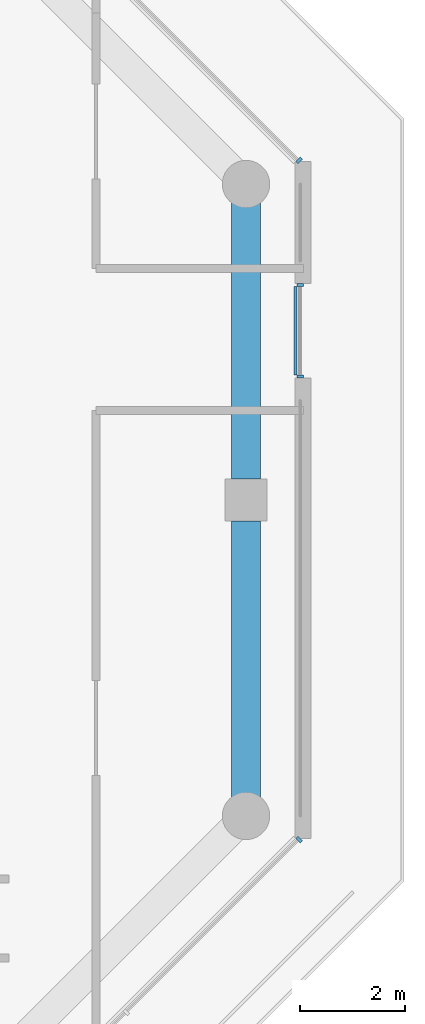
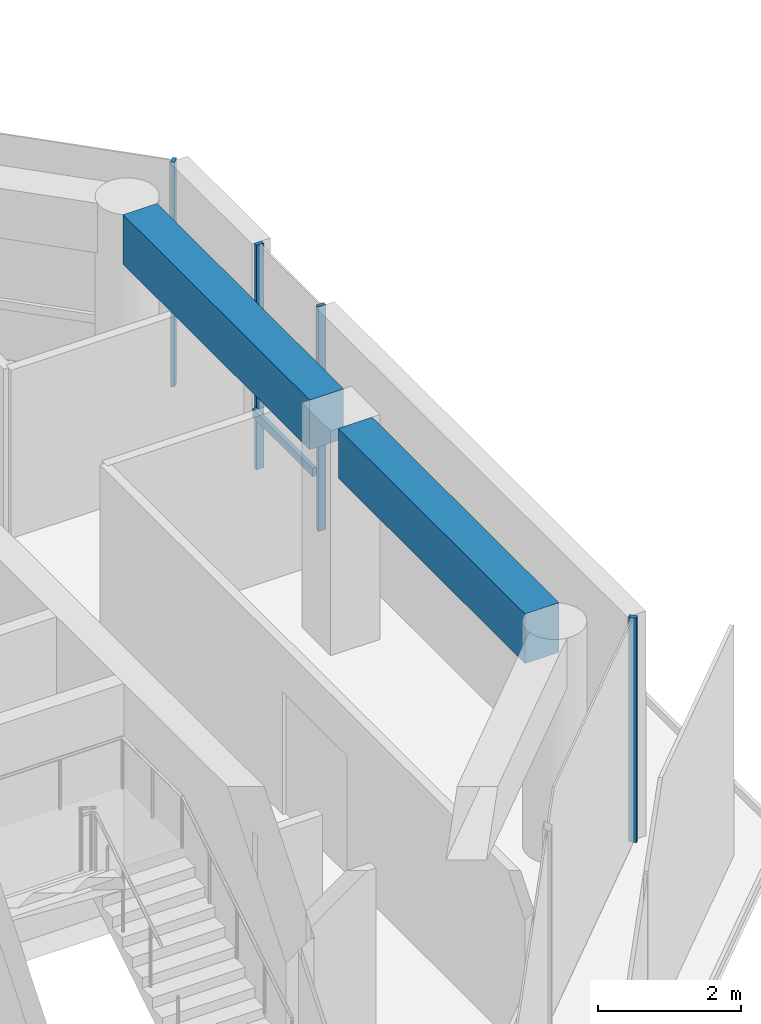
# One storey, part 6 of 19: 5 members, 2 beams, 3 elements without a shape of their own.
"""IFC4 building model written with IfcOpenShell, lengths in metres."""

from ifc_helpers import new_model, si_unit, direction, frame, origin, origin_2d, place, context, subcontext, project, spatial, rectangle, extrude, material, layer, layer_set, material_profile, profile_set, type_object, element, aggregate, save


model = new_model("IFC4")

# Units and contexts
model_context = context("Model", 3, precision=1e-05, world=origin(), true_north=direction((0.0, 1.0)))
body_context = subcontext(model_context, "Body", "Model", "MODEL_VIEW")
ifc_project = project(units=[si_unit("LENGTHUNIT", "METRE"), si_unit("AREAUNIT", "SQUARE_METRE"), si_unit("VOLUMEUNIT", "CUBIC_METRE"), si_unit("PLANEANGLEUNIT", "RADIAN"), si_unit("MASSUNIT", "GRAM", prefix="KILO")], contexts=[model_context])

# Site, building, storey
site_placement = place(None, origin())
site = spatial("IfcSite", under=ifc_project, at=site_placement, CompositionType="ELEMENT")
building_placement = place(site_placement, origin())
building = spatial("IfcBuilding", under=site, at=building_placement, Name="Welwitschia Terrace Campus", CompositionType="ELEMENT")
storey_placement = place(building_placement, frame((0.0, 0.0, 243.199951171875)))
storey = spatial("IfcBuildingStorey", under=building, at=storey_placement, Name="L54", CompositionType="ELEMENT", Elevation=243.199951171875)

# Curtain wall, member
ifc_material_1 = material(Name="Bronze anodised aluminium", Category="aluminium")
ifc_layer = layer(ifc_material_1, 0.1201171875)
ifc_layer_set = layer_set([ifc_layer], Name="Bronze anodised aluminium")
curtain_wall_type = type_object("IfcCurtainWallType", Name="Curtain wall CW2 tower 6000", PredefinedType="NOTDEFINED", material=ifc_layer_set)
curtain_wall_1_placement = place(storey_placement, origin())
curtain_wall_1 = element("IfcCurtainWall", 1, at=curtain_wall_1_placement, inside=storey, type_object=curtain_wall_type, Name="CW L54.3.0", PredefinedType="NOTDEFINED")
ifc_material_2 = material(Name="Bronze anodised aluminium", Category="aluminium")
ifc_material_profile_1 = material_profile(ifc_material_2, rectangle(XDim=0.1201171875, YDim=0.06005859375, at=origin_2d()))
ifc_profile_set_1 = profile_set([ifc_material_profile_1], Name="Bronze anodised aluminium")
member_type_1 = type_object("IfcMemberType", Name="Mullion 60x120", PredefinedType="MULLION", material=ifc_profile_set_1)
member_1_placement = place(storey_placement, frame((31.0087890625, 9.55224609375, 0.0), z_axis=(0.0, 0.0, 1.0), x_axis=(-0.707106781187, 0.707106781187, 0.0)))
member_1 = element("IfcMember", 2, at=member_1_placement, type_object=member_type_1, Name="Mullion L54.3.0.2", PredefinedType="MULLION", context=body_context, shape_type="SweptSolid", body=[
    extrude(rectangle(XDim=0.1201171875, YDim=0.06005859375, at=origin_2d()), origin(), (0.0, 0.0, 1.0), 3.85009765625),
])
aggregate(curtain_wall_1, [member_1])

# Curtain wall, members
curtain_wall_2_placement = place(storey_placement, origin())
curtain_wall_2 = element("IfcCurtainWall", 3, at=curtain_wall_2_placement, inside=storey, type_object=curtain_wall_type, Name="CW L54.4.S0", PredefinedType="NOTDEFINED")
member_2_placement = place(storey_placement, frame((31.030029296875, 18.34326171875, 0.0), z_axis=(0.0, 0.0, 1.0), x_axis=(-1.0, 0.0, 0.0)))
member_2 = element("IfcMember", 4, at=member_2_placement, type_object=member_type_1, Name="Mullion L54.4.S0.0", PredefinedType="MULLION", context=body_context, shape_type="SweptSolid", body=[
    extrude(rectangle(XDim=0.1201171875, YDim=0.06005859375, at=origin_2d()), origin(), (0.0, 0.0, 1.0), 3.85009765625),
])
member_3_placement = place(storey_placement, frame((31.030029296875, 20.083251953125, 0.0), z_axis=(0.0, 0.0, 1.0), x_axis=(-1.0, 0.0, 0.0)))
member_3 = element("IfcMember", 5, at=member_3_placement, type_object=member_type_1, Name="Mullion L54.4.S0.1", PredefinedType="MULLION", context=body_context, shape_type="SweptSolid", body=[
    extrude(rectangle(XDim=0.1201171875, YDim=0.06005859375, at=origin_2d()), origin(), (0.0, 0.0, 1.0), 3.85009765625),
])

# Curtain wall, member
curtain_wall_3_placement = place(storey_placement, origin())
curtain_wall_3 = element("IfcCurtainWall", 6, at=curtain_wall_3_placement, inside=storey, type_object=curtain_wall_type, Name="CW L54.5.0", PredefinedType="NOTDEFINED")
member_4_placement = place(storey_placement, frame((31.0087890625, 22.44775390625, 0.0), z_axis=(0.0, 0.0, 1.0), x_axis=(-0.707106781187, -0.707106781187, 0.0)))
member_4 = element("IfcMember", 7, at=member_4_placement, type_object=member_type_1, Name="Mullion L54.5.0.0", PredefinedType="MULLION", context=body_context, shape_type="SweptSolid", body=[
    extrude(rectangle(XDim=0.1201171875, YDim=0.06005859375, at=origin_2d()), origin(), (0.0, 0.0, 1.0), 3.85009765625),
])
aggregate(curtain_wall_3, [member_4])

# Beams
ifc_material_3 = material(Name="Concrete C50/60", Category="concrete")
ifc_material_profile_2 = material_profile(ifc_material_3, rectangle(XDim=0.550048828125, YDim=0.85009765625, at=origin_2d()))
ifc_profile_set_2 = profile_set([ifc_material_profile_2], Name="Concrete C50/60")
beam_type = type_object("IfcBeamType", Name="Ring spandrel 550x850", PredefinedType="SPANDREL", material=ifc_profile_set_2)
for number, where, z_axis, x_axis, name in (
    (8, (30.0, 10.35693359375, 3.425048828125), (0.0, 1.0, 0.0), (-1.0, 0.0, 0.0), "Spandrel SP3"),
    (9, (30.0, 16.400390625, 3.425048828125), (0.0, 1.0, 0.0), (-1.0, 0.0, 0.0), "Spandrel SP3"),
):
    element("IfcBeam", number, at=place(storey_placement, frame(where, z_axis=z_axis, x_axis=x_axis)), inside=storey, type_object=beam_type, Name=name, PredefinedType="SPANDREL", context=body_context, shape_type="SweptSolid", body=[
        extrude(rectangle(XDim=0.550048828125, YDim=0.85009765625, at=origin_2d()), origin(), (0.0, 0.0, 1.0), 5.24267578125),
    ])

# Member
ifc_material_4 = material(Name="Bronze anodised aluminium", Category="aluminium")
ifc_material_profile_3 = material_profile(ifc_material_4, rectangle(XDim=0.06005859375, YDim=0.14990234375, at=origin_2d()))
ifc_profile_set_3 = profile_set([ifc_material_profile_3], Name="Bronze anodised aluminium")
member_type_2 = type_object("IfcMemberType", Name="Transom 60x150", PredefinedType="USERDEFINED", material=ifc_profile_set_3)
member_5_placement = place(storey_placement, frame((30.93994140625, 18.373291015625, 1.0), z_axis=(0.0, 1.0, 0.0), x_axis=(-1.0, 0.0, 0.0)))
member_5 = element("IfcMember", 10, at=member_5_placement, type_object=member_type_2, Name="Transom L54.4.S0", ObjectType="TRANSOM", PredefinedType="USERDEFINED", context=body_context, shape_type="SweptSolid", body=[
    extrude(rectangle(XDim=0.06005859375, YDim=0.14990234375, at=origin_2d()), origin(), (0.0, 0.0, 1.0), 1.679931640625),
])

aggregate(curtain_wall_2, [member_2, member_3, member_5])

save(model, "model.ifc")
